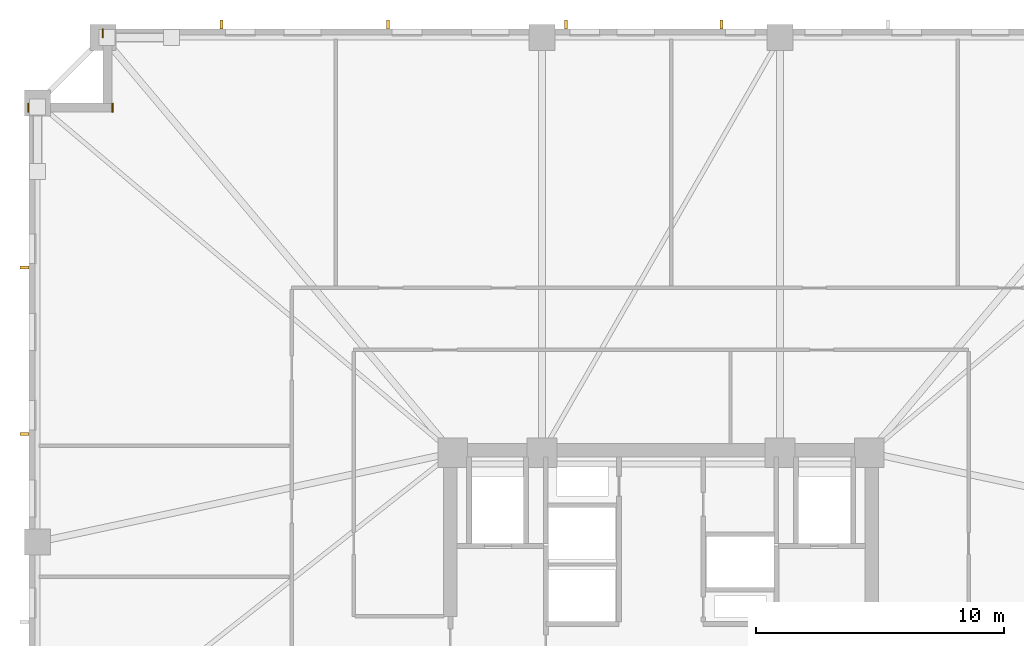
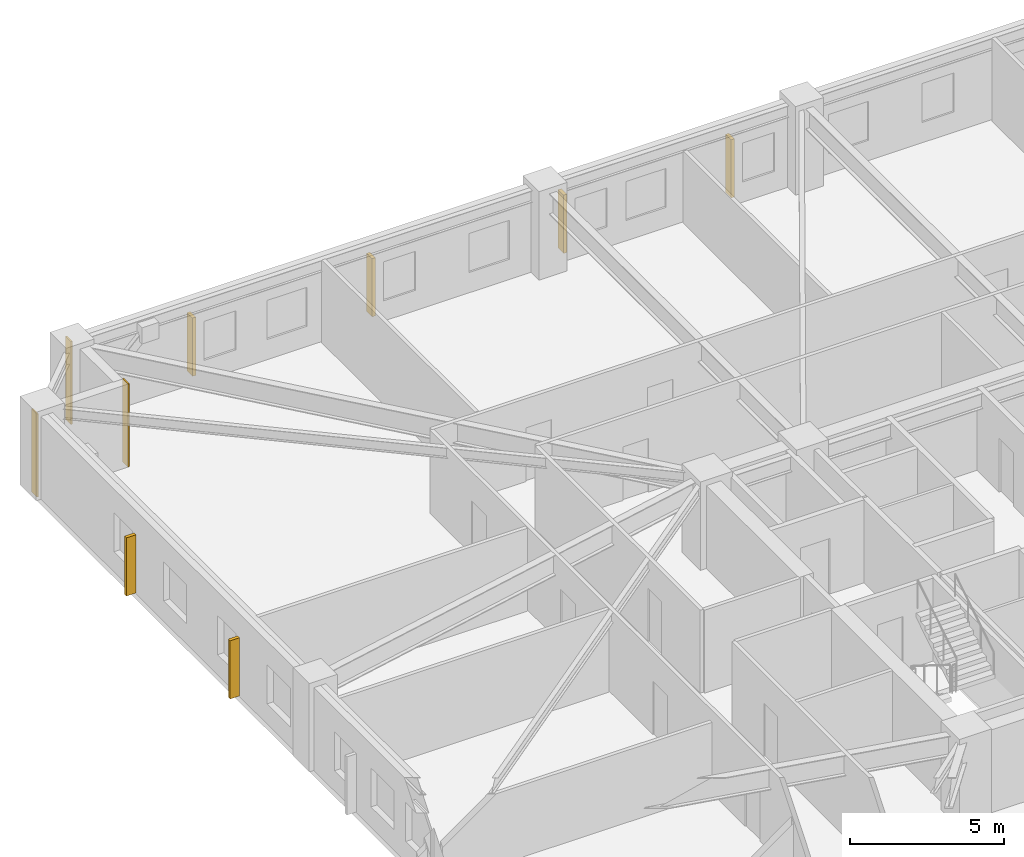
# One storey, part 10 of 11: 6 shading devices, 3 coverings.
"""IFC4 building model written with IfcOpenShell, lengths in metres."""

import ifcopenshell
import ifcopenshell.guid

model = None  # the IFC model being written
_history = None  # IfcOwnerHistory: only IFC2X3 demands one
_inside = {}  # id of a spatial element -> (the spatial element, [elements in it])
_under = {}  # id of a project, library or spatial element -> (it, [spatial elements below it])
_declared = {}  # id of a project -> (the project, [libraries it declares])
_typed = {}  # id of a type object -> (the type object, [elements of that type])
_made_of = {}  # id of a material, layer set ... -> (it, [elements and type objects made of it])


def new_model(schema):
    """Start an empty IFC model of exactly this schema.

    Asked for "IFC4X3", IfcOpenShell would pick the latest addendum, in which some entities
    have other attributes; the version numbers below select the first issue.
    IFC2X3 requires an IfcOwnerHistory on every rooted entity: one is made here for all.
    """
    global model, _history
    if schema == "IFC4X3":
        model = ifcopenshell.file(schema_version=(4, 3, 0, 0))
    else:
        model = ifcopenshell.file(schema=schema)
    _inside.clear()
    _under.clear()
    _declared.clear()
    _typed.clear()
    _made_of.clear()
    _history = None
    if model.schema == "IFC2X3":
        org = make("IfcOrganization", Name="unknown")
        user = make(
            "IfcPersonAndOrganization",
            ThePerson=make("IfcPerson", FamilyName="unknown"),
            TheOrganization=org,
        )
        app = make(
            "IfcApplication",
            ApplicationDeveloper=org,
            Version="unknown",
            ApplicationFullName="unknown",
            ApplicationIdentifier="unknown",
        )
        _history = make(
            "IfcOwnerHistory",
            OwningUser=user,
            OwningApplication=app,
            ChangeAction="ADDED",
            CreationDate=0,
        )
    return model


def make(cls, **values):
    """One entity of the class cls with the attributes given. An attribute that is None is left unset."""
    return model.create_entity(
        cls, **{name: value for name, value in values.items() if value is not None}
    )


def rooted(cls, **values):
    """An entity with a GlobalId (a new one), such as an element, a storey or a relation."""
    return make(cls, GlobalId=ifcopenshell.guid.new(), OwnerHistory=_history, **values)


def si_unit(unit_type, name, prefix=None):
    """IfcSIUnit, for example si_unit("LENGTHUNIT", "METRE", prefix="MILLI")."""
    return make("IfcSIUnit", UnitType=unit_type, Prefix=prefix, Name=name)


def assignment(units):
    """IfcUnitAssignment: the units of a project."""
    return None if units is None else make("IfcUnitAssignment", Units=units)


def point(xyz):
    """IfcCartesianPoint."""
    return None if xyz is None else make("IfcCartesianPoint", Coordinates=xyz)


def direction(xyz):
    """IfcDirection."""
    return None if xyz is None else make("IfcDirection", DirectionRatios=xyz)


def frame(location, z_axis=None, x_axis=None):
    """IfcAxis2Placement3D, a coordinate frame: its origin and axes. An axis left out is left unset."""
    return make(
        "IfcAxis2Placement3D",
        Location=point(location),
        Axis=direction(z_axis),
        RefDirection=direction(x_axis),
    )


def frame_2d(location, x_axis=None):
    """IfcAxis2Placement2D, a coordinate frame in the plane: its origin and x axis."""
    return make(
        "IfcAxis2Placement2D", Location=point(location), RefDirection=direction(x_axis)
    )


def origin():
    """The frame at (0, 0, 0) with its axes left unset."""
    return frame((0.0, 0.0, 0.0))


def origin_2d():
    """The frame at (0, 0) in the plane with its x axis left unset."""
    return frame_2d((0.0, 0.0))


def place(relative_to, where):
    """IfcLocalPlacement: puts the frame where relative to a parent placement (None: the world)."""
    return make(
        "IfcLocalPlacement", PlacementRelTo=relative_to, RelativePlacement=where
    )


def context(
    kind, dimensions, precision=None, world=None, true_north=None, identifier=None
):
    """IfcGeometricRepresentationContext, for example the 3D "Model" context."""
    return make(
        "IfcGeometricRepresentationContext",
        ContextIdentifier=identifier,
        ContextType=kind,
        CoordinateSpaceDimension=dimensions,
        Precision=precision,
        WorldCoordinateSystem=world,
        TrueNorth=true_north,
    )


def subcontext(parent, identifier, kind, view, scale=None):
    """IfcGeometricRepresentationSubContext, for example "Body" below "Model"."""
    return make(
        "IfcGeometricRepresentationSubContext",
        ContextIdentifier=identifier,
        ContextType=kind,
        ParentContext=parent,
        TargetScale=scale,
        TargetView=view,
    )


def project(units=None, contexts=None):
    """IfcProject with its units and contexts."""
    return rooted(
        "IfcProject",
        Name="project",
        RepresentationContexts=contexts,
        UnitsInContext=assignment(units),
    )


def spatial(cls, under=None, at=None, **own):
    """A site, building, storey or space (cls), placed at a placement, below another one or the project."""
    s = rooted(cls, ObjectPlacement=at, **own)
    if under is not None:
        _under.setdefault(under.id(), (under, []))[1].append(s)
    return s


def profile(cls, at=None, kind="AREA", **sizes):
    """A parametric profile (cls). Its sizes go by their IFC names, for example OverallWidth=200.0."""
    return make(cls, ProfileType=kind, Position=at, **sizes)


def rectangle(**sizes):
    """IfcRectangleProfileDef."""
    return profile("IfcRectangleProfileDef", **sizes)


def extrude(swept, where, along, depth):
    """IfcExtrudedAreaSolid: the profile swept, set in the frame where, extruded along a direction by depth."""
    return make(
        "IfcExtrudedAreaSolid",
        SweptArea=swept,
        Position=where,
        ExtrudedDirection=direction(along),
        Depth=depth,
    )


def shape(context_of_items, identifier, shape_type, items):
    """IfcShapeRepresentation: the items that make up one representation, for example the "Body"."""
    return make(
        "IfcShapeRepresentation",
        ContextOfItems=context_of_items,
        RepresentationIdentifier=identifier,
        RepresentationType=shape_type,
        Items=items,
    )


def material(Name=None, Category=None):
    """IfcMaterial."""
    return make("IfcMaterial", Name=Name, Category=Category)


def layer(
    of_material, thickness, ventilated=None, Name=None, Category=None, Priority=None
):
    """IfcMaterialLayer: one layer of a wall or slab, of a material (None: an air gap)."""
    return make(
        "IfcMaterialLayer",
        Material=of_material,
        LayerThickness=thickness,
        IsVentilated=ventilated,
        Name=Name,
        Category=Category,
        Priority=Priority,
    )


def layer_set(layers, Name=None):
    """IfcMaterialLayerSet."""
    return make("IfcMaterialLayerSet", MaterialLayers=layers, LayerSetName=Name)


def made_of(thing, what):
    """Note that an element or type object is made of a material, layer set ...; save() writes the relation."""
    if what is not None:
        _made_of.setdefault(what.id(), (what, []))[1].append(thing)
    return thing


def type_object(cls, material=None, **own):
    """A type object (cls), such as IfcWallType, which elements share."""
    return made_of(rooted(cls, **own), material)


def element(
    cls,
    number,
    at=None,
    inside=None,
    cuts=None,
    type_object=None,
    material=None,
    context=None,
    identifier="Body",
    shape_type=None,
    held_by="IfcProductDefinitionShape",
    body=None,
    shapes=None,
    **own,
):
    """One element of the class cls, such as IfcWall. Its Tag is "e" and its number.

    at: its placement. inside: the storey or other place that contains it. cuts: it is an
    opening in that element (IfcRelVoidsElement). A single representation is given by context,
    identifier, shape_type and body (its items); several are given by shapes. held_by: the class
    of the entity that holds the representations. save() writes the other relations.
    """
    e = rooted(cls, Tag="e%d" % number, ObjectPlacement=at, **own)
    if body is not None:
        shapes = [shape(context, identifier, shape_type, body)]
    if shapes is not None:
        e.Representation = make(held_by, Representations=shapes)
    if inside is not None:
        _inside.setdefault(inside.id(), (inside, []))[1].append(e)
    if cuts is not None:
        rooted(
            "IfcRelVoidsElement", RelatingBuildingElement=cuts, RelatedOpeningElement=e
        )
    if type_object is not None:
        _typed.setdefault(type_object.id(), (type_object, []))[1].append(e)
    return made_of(e, material)


def aggregate(whole, parts):
    """IfcRelAggregates: a whole, such as a stair, and the parts it consists of."""
    return rooted("IfcRelAggregates", RelatingObject=whole, RelatedObjects=parts)


def save(model, path):
    """Write the relations noted so far, then the file.

    IfcRelAggregates (storeys below a building ...), IfcRelContainedInSpatialStructure (elements
    in a storey), IfcRelDefinesByType, IfcRelAssociatesMaterial and IfcRelDeclares: one each for
    every whole, place, type object, material and project.
    """
    for whole, parts in _under.values():
        aggregate(whole, parts)
    for where, things in _inside.values():
        rooted(
            "IfcRelContainedInSpatialStructure",
            RelatedElements=things,
            RelatingStructure=where,
        )
    for kind, things in _typed.values():
        rooted("IfcRelDefinesByType", RelatedObjects=things, RelatingType=kind)
    for what, things in _made_of.values():
        rooted("IfcRelAssociatesMaterial", RelatedObjects=things, RelatingMaterial=what)
    for by, libraries in _declared.values():
        rooted("IfcRelDeclares", RelatingContext=by, RelatedDefinitions=libraries)
    model.write(path)


model = new_model("IFC4")

# Units and contexts
model_context = context("Model", 3, precision=1e-05, world=origin(), true_north=direction((0.0, 1.0)))
body_context = subcontext(model_context, "Body", "Model", "MODEL_VIEW")
ifc_project = project(units=[si_unit("LENGTHUNIT", "METRE"), si_unit("AREAUNIT", "SQUARE_METRE"), si_unit("VOLUMEUNIT", "CUBIC_METRE"), si_unit("PLANEANGLEUNIT", "RADIAN"), si_unit("MASSUNIT", "GRAM", prefix="KILO")], contexts=[model_context])

# Site, building, storey
site_placement = place(None, origin())
site = spatial("IfcSite", under=ifc_project, at=site_placement, CompositionType="ELEMENT")
building_placement = place(site_placement, origin())
building = spatial("IfcBuilding", under=site, at=building_placement, Name="Cairnveth Concourse Tower", CompositionType="ELEMENT")
storey_placement = place(building_placement, frame((0.0, 0.0, 62.0)))
storey = spatial("IfcBuildingStorey", under=building, at=storey_placement, Name="L16", CompositionType="ELEMENT", Elevation=62.0)

# Coverings
ifc_material_1 = material(Name="Dressed Melbourne Bluestone Cladding", Category="masonry")
ifc_layer = layer(ifc_material_1, 0.050048828125)
ifc_layer_set = layer_set([ifc_layer], Name="Dressed Melbourne Bluestone Cladding")
covering_type = type_object("IfcCoveringType", Name="DRESSED BLUESTONE PLINTH CLADDING 50", PredefinedType="CLADDING", material=ifc_layer_set)
for number, where, z_axis, x_axis, name in (
    (1, (26.47998046875, 61.139892578125, 0.0), (0.0, 0.0, 1.0), (0.0, 1.0, 0.0), "Melbourne Bluestone Corner Quoin L16-206"),
    (2, (29.8798828125, 61.139892578125, 0.0), (0.0, 0.0, 1.0), (0.0, 1.0, 0.0), "Melbourne Bluestone Corner Quoin L16-207"),
    (3, (29.47998046875, 64.139892578125, 0.0), (0.0, 0.0, 1.0), (0.0, 1.0, 0.0), "Melbourne Bluestone Corner Quoin L16-208"),
):
    element("IfcCovering", number, at=place(storey_placement, frame(where, z_axis=z_axis, x_axis=x_axis)), inside=storey, type_object=covering_type, Name=name, PredefinedType="CLADDING", context=body_context, shape_type="SweptSolid", body=[
        extrude(rectangle(XDim=0.360107421875, YDim=0.050048828125, at=frame_2d((0.18017578125, 0.0))), origin(), (0.0, 0.0, 1.0), 3.280029296875),
    ])

# Shading devices
ifc_material_2 = material(Name="Architectural Bronze Anodised Aluminium 6063-T6", Category="aluminium")
shading_device_type = type_object("IfcShadingDeviceType", Name="GOTHIC BRONZE VERTICAL LANCET FIN", PredefinedType="USERDEFINED", material=ifc_material_2)
for number, where, z_axis, x_axis, name in (
    (4, (26.324951171875, 48.151611328125, 0.02978515625), (0.0, 0.0, 1.0), (0.0, 1.0, 0.0), "Gothic Bronze Vertical Fin L16-6-9"),
    (5, (26.324951171875, 54.871826171875, 0.02978515625), (0.0, 0.0, 1.0), (0.0, 1.0, 0.0), "Gothic Bronze Vertical Fin L16-6-11"),
    (6, (34.27001953125, 64.675048828125, 0.02978515625), (0.0, 0.0, 1.0), (1.0, 0.0, 0.0), "Gothic Bronze Vertical Fin L16-9-1"),
    (7, (40.990478515625, 64.675048828125, 0.02978515625), (0.0, 0.0, 1.0), (1.0, 0.0, 0.0), "Gothic Bronze Vertical Fin L16-9-3"),
    (8, (48.160888671875, 64.675048828125, 0.02978515625), (0.0, 0.0, 1.0), (1.0, 0.0, 0.0), "Gothic Bronze Vertical Fin L16-9-5"),
    (9, (54.43115234375, 64.675048828125, 0.02978515625), (0.0, 0.0, 1.0), (1.0, 0.0, 0.0), "Gothic Bronze Vertical Fin L16-9-7"),
):
    element("IfcShadingDevice", number, at=place(storey_placement, frame(where, z_axis=z_axis, x_axis=x_axis)), inside=storey, type_object=shading_device_type, Name=name, ObjectType="VERTICAL FIN", PredefinedType="USERDEFINED", context=body_context, shape_type="SweptSolid", body=[
        extrude(rectangle(XDim=0.1201171875, YDim=0.360107421875, at=origin_2d()), origin(), (0.0, 0.0, 1.0), 2.303955078125),
    ])

save(model, "model.ifc")
